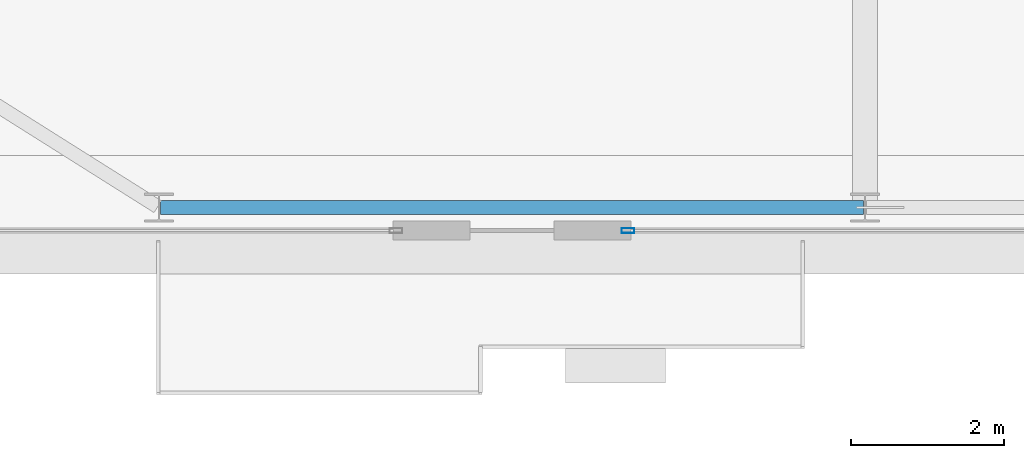
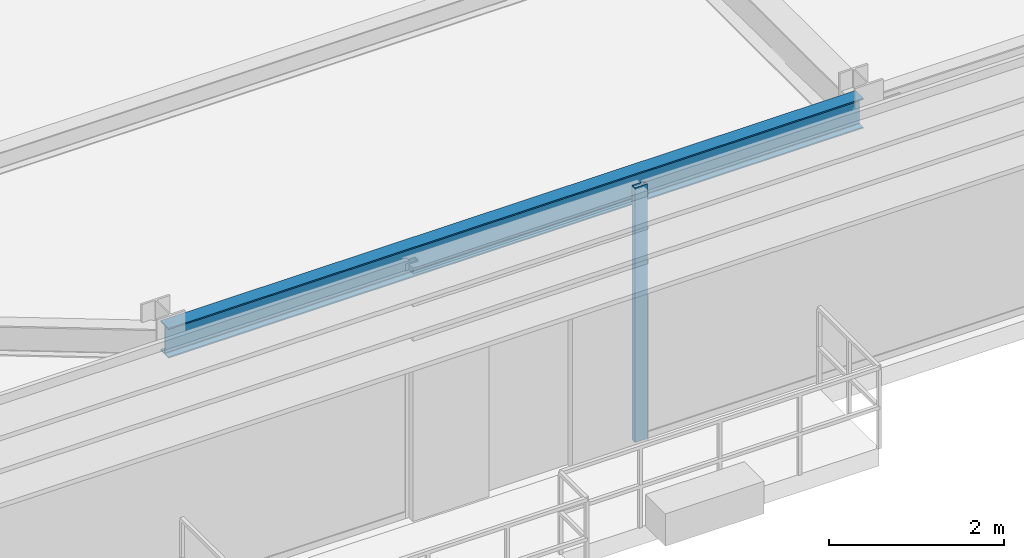
# One storey, part 6 of 31: 1 beam, 1 member, 1 element without a shape of its own.
"""IFC4 building model written with IfcOpenShell, lengths in metres."""

import ifcopenshell
import ifcopenshell.guid

model = None  # the IFC model being written
_history = None  # IfcOwnerHistory: only IFC2X3 demands one
_inside = {}  # id of a spatial element -> (the spatial element, [elements in it])
_under = {}  # id of a project, library or spatial element -> (it, [spatial elements below it])
_declared = {}  # id of a project -> (the project, [libraries it declares])
_typed = {}  # id of a type object -> (the type object, [elements of that type])
_made_of = {}  # id of a material, layer set ... -> (it, [elements and type objects made of it])


def new_model(schema):
    """Start an empty IFC model of exactly this schema.

    Asked for "IFC4X3", IfcOpenShell would pick the latest addendum, in which some entities
    have other attributes; the version numbers below select the first issue.
    IFC2X3 requires an IfcOwnerHistory on every rooted entity: one is made here for all.
    """
    global model, _history
    if schema == "IFC4X3":
        model = ifcopenshell.file(schema_version=(4, 3, 0, 0))
    else:
        model = ifcopenshell.file(schema=schema)
    _inside.clear()
    _under.clear()
    _declared.clear()
    _typed.clear()
    _made_of.clear()
    _history = None
    if model.schema == "IFC2X3":
        org = make("IfcOrganization", Name="unknown")
        user = make(
            "IfcPersonAndOrganization",
            ThePerson=make("IfcPerson", FamilyName="unknown"),
            TheOrganization=org,
        )
        app = make(
            "IfcApplication",
            ApplicationDeveloper=org,
            Version="unknown",
            ApplicationFullName="unknown",
            ApplicationIdentifier="unknown",
        )
        _history = make(
            "IfcOwnerHistory",
            OwningUser=user,
            OwningApplication=app,
            ChangeAction="ADDED",
            CreationDate=0,
        )
    return model


def make(cls, **values):
    """One entity of the class cls with the attributes given. An attribute that is None is left unset."""
    return model.create_entity(
        cls, **{name: value for name, value in values.items() if value is not None}
    )


def rooted(cls, **values):
    """An entity with a GlobalId (a new one), such as an element, a storey or a relation."""
    return make(cls, GlobalId=ifcopenshell.guid.new(), OwnerHistory=_history, **values)


def si_unit(unit_type, name, prefix=None):
    """IfcSIUnit, for example si_unit("LENGTHUNIT", "METRE", prefix="MILLI")."""
    return make("IfcSIUnit", UnitType=unit_type, Prefix=prefix, Name=name)


def assignment(units):
    """IfcUnitAssignment: the units of a project."""
    return None if units is None else make("IfcUnitAssignment", Units=units)


def point(xyz):
    """IfcCartesianPoint."""
    return None if xyz is None else make("IfcCartesianPoint", Coordinates=xyz)


def direction(xyz):
    """IfcDirection."""
    return None if xyz is None else make("IfcDirection", DirectionRatios=xyz)


def frame(location, z_axis=None, x_axis=None):
    """IfcAxis2Placement3D, a coordinate frame: its origin and axes. An axis left out is left unset."""
    return make(
        "IfcAxis2Placement3D",
        Location=point(location),
        Axis=direction(z_axis),
        RefDirection=direction(x_axis),
    )


def frame_2d(location, x_axis=None):
    """IfcAxis2Placement2D, a coordinate frame in the plane: its origin and x axis."""
    return make(
        "IfcAxis2Placement2D", Location=point(location), RefDirection=direction(x_axis)
    )


def origin():
    """The frame at (0, 0, 0) with its axes left unset."""
    return frame((0.0, 0.0, 0.0))


def origin_2d():
    """The frame at (0, 0) in the plane with its x axis left unset."""
    return frame_2d((0.0, 0.0))


def place(relative_to, where):
    """IfcLocalPlacement: puts the frame where relative to a parent placement (None: the world)."""
    return make(
        "IfcLocalPlacement", PlacementRelTo=relative_to, RelativePlacement=where
    )


def context(
    kind, dimensions, precision=None, world=None, true_north=None, identifier=None
):
    """IfcGeometricRepresentationContext, for example the 3D "Model" context."""
    return make(
        "IfcGeometricRepresentationContext",
        ContextIdentifier=identifier,
        ContextType=kind,
        CoordinateSpaceDimension=dimensions,
        Precision=precision,
        WorldCoordinateSystem=world,
        TrueNorth=true_north,
    )


def subcontext(parent, identifier, kind, view, scale=None):
    """IfcGeometricRepresentationSubContext, for example "Body" below "Model"."""
    return make(
        "IfcGeometricRepresentationSubContext",
        ContextIdentifier=identifier,
        ContextType=kind,
        ParentContext=parent,
        TargetScale=scale,
        TargetView=view,
    )


def project(units=None, contexts=None):
    """IfcProject with its units and contexts."""
    return rooted(
        "IfcProject",
        Name="project",
        RepresentationContexts=contexts,
        UnitsInContext=assignment(units),
    )


def spatial(cls, under=None, at=None, **own):
    """A site, building, storey or space (cls), placed at a placement, below another one or the project."""
    s = rooted(cls, ObjectPlacement=at, **own)
    if under is not None:
        _under.setdefault(under.id(), (under, []))[1].append(s)
    return s


def profile(cls, at=None, kind="AREA", **sizes):
    """A parametric profile (cls). Its sizes go by their IFC names, for example OverallWidth=200.0."""
    return make(cls, ProfileType=kind, Position=at, **sizes)


def hollow_rectangle(**sizes):
    """IfcRectangleHollowProfileDef."""
    return profile("IfcRectangleHollowProfileDef", **sizes)


def i_section(**sizes):
    """IfcIShapeProfileDef."""
    return profile("IfcIShapeProfileDef", **sizes)


def extrude(swept, where, along, depth):
    """IfcExtrudedAreaSolid: the profile swept, set in the frame where, extruded along a direction by depth."""
    return make(
        "IfcExtrudedAreaSolid",
        SweptArea=swept,
        Position=where,
        ExtrudedDirection=direction(along),
        Depth=depth,
    )


def shape(context_of_items, identifier, shape_type, items):
    """IfcShapeRepresentation: the items that make up one representation, for example the "Body"."""
    return make(
        "IfcShapeRepresentation",
        ContextOfItems=context_of_items,
        RepresentationIdentifier=identifier,
        RepresentationType=shape_type,
        Items=items,
    )


def source(mapping_origin, context_of_items, identifier, shape_type, items):
    """IfcRepresentationMap: a shape defined once, which mapped items show again and again."""
    return make(
        "IfcRepresentationMap",
        MappingOrigin=mapping_origin,
        MappedRepresentation=shape(context_of_items, identifier, shape_type, items),
    )


def transform(
    local_origin,
    x_axis=None,
    y_axis=None,
    z_axis=None,
    scale=None,
    scale2=None,
    scale3=None,
    uniform=True,
):
    """IfcCartesianTransformationOperator3D, or its non-uniform kind. x_axis, y_axis, z_axis: its Axis1, 2, 3."""
    if uniform:
        return make(
            "IfcCartesianTransformationOperator3D",
            Axis1=direction(x_axis),
            Axis2=direction(y_axis),
            LocalOrigin=point(local_origin),
            Scale=scale,
            Axis3=direction(z_axis),
        )
    return make(
        "IfcCartesianTransformationOperator3DnonUniform",
        Axis1=direction(x_axis),
        Axis2=direction(y_axis),
        LocalOrigin=point(local_origin),
        Scale=scale,
        Axis3=direction(z_axis),
        Scale2=scale2,
        Scale3=scale3,
    )


def mapped(mapping_source, mapping_target):
    """IfcMappedItem: shows the shape of a source again, moved by a transform."""
    return make(
        "IfcMappedItem", MappingSource=mapping_source, MappingTarget=mapping_target
    )


def material(Name=None, Category=None):
    """IfcMaterial."""
    return make("IfcMaterial", Name=Name, Category=Category)


def layer(
    of_material, thickness, ventilated=None, Name=None, Category=None, Priority=None
):
    """IfcMaterialLayer: one layer of a wall or slab, of a material (None: an air gap)."""
    return make(
        "IfcMaterialLayer",
        Material=of_material,
        LayerThickness=thickness,
        IsVentilated=ventilated,
        Name=Name,
        Category=Category,
        Priority=Priority,
    )


def layer_set(layers, Name=None):
    """IfcMaterialLayerSet."""
    return make("IfcMaterialLayerSet", MaterialLayers=layers, LayerSetName=Name)


def material_profile(
    of_material, cross_section, Name=None, Category=None, Priority=None
):
    """IfcMaterialProfile: a cross section and its material."""
    return make(
        "IfcMaterialProfile",
        Name=Name,
        Material=of_material,
        Profile=cross_section,
        Priority=Priority,
        Category=Category,
    )


def profile_set(profiles, Name=None, composite=None):
    """IfcMaterialProfileSet."""
    return make(
        "IfcMaterialProfileSet",
        Name=Name,
        MaterialProfiles=profiles,
        CompositeProfile=composite,
    )


def made_of(thing, what):
    """Note that an element or type object is made of a material, layer set ...; save() writes the relation."""
    if what is not None:
        _made_of.setdefault(what.id(), (what, []))[1].append(thing)
    return thing


def type_object(cls, material=None, **own):
    """A type object (cls), such as IfcWallType, which elements share."""
    return made_of(rooted(cls, **own), material)


def type_shapes(of_type, sources):
    """Give a type object the sources (RepresentationMaps) that its elements show as mapped items."""
    of_type.RepresentationMaps = sources


def element(
    cls,
    number,
    at=None,
    inside=None,
    cuts=None,
    type_object=None,
    material=None,
    context=None,
    identifier="Body",
    shape_type=None,
    held_by="IfcProductDefinitionShape",
    body=None,
    shapes=None,
    **own,
):
    """One element of the class cls, such as IfcWall. Its Tag is "e" and its number.

    at: its placement. inside: the storey or other place that contains it. cuts: it is an
    opening in that element (IfcRelVoidsElement). A single representation is given by context,
    identifier, shape_type and body (its items); several are given by shapes. held_by: the class
    of the entity that holds the representations. save() writes the other relations.
    """
    e = rooted(cls, Tag="e%d" % number, ObjectPlacement=at, **own)
    if body is not None:
        shapes = [shape(context, identifier, shape_type, body)]
    if shapes is not None:
        e.Representation = make(held_by, Representations=shapes)
    if inside is not None:
        _inside.setdefault(inside.id(), (inside, []))[1].append(e)
    if cuts is not None:
        rooted(
            "IfcRelVoidsElement", RelatingBuildingElement=cuts, RelatedOpeningElement=e
        )
    if type_object is not None:
        _typed.setdefault(type_object.id(), (type_object, []))[1].append(e)
    return made_of(e, material)


def aggregate(whole, parts):
    """IfcRelAggregates: a whole, such as a stair, and the parts it consists of."""
    return rooted("IfcRelAggregates", RelatingObject=whole, RelatedObjects=parts)


def save(model, path):
    """Write the relations noted so far, then the file.

    IfcRelAggregates (storeys below a building ...), IfcRelContainedInSpatialStructure (elements
    in a storey), IfcRelDefinesByType, IfcRelAssociatesMaterial and IfcRelDeclares: one each for
    every whole, place, type object, material and project.
    """
    for whole, parts in _under.values():
        aggregate(whole, parts)
    for where, things in _inside.values():
        rooted(
            "IfcRelContainedInSpatialStructure",
            RelatedElements=things,
            RelatingStructure=where,
        )
    for kind, things in _typed.values():
        rooted("IfcRelDefinesByType", RelatedObjects=things, RelatingType=kind)
    for what, things in _made_of.values():
        rooted("IfcRelAssociatesMaterial", RelatedObjects=things, RelatingMaterial=what)
    for by, libraries in _declared.values():
        rooted("IfcRelDeclares", RelatingContext=by, RelatedDefinitions=libraries)
    model.write(path)


model = new_model("IFC4")

# Units and contexts
model_context = context("Model", 3, precision=1e-05, world=origin(), true_north=direction((0.0, 1.0)))
body_context = subcontext(model_context, "Body", "Model", "MODEL_VIEW")
ifc_project = project(units=[si_unit("LENGTHUNIT", "METRE"), si_unit("AREAUNIT", "SQUARE_METRE"), si_unit("VOLUMEUNIT", "CUBIC_METRE"), si_unit("PLANEANGLEUNIT", "RADIAN"), si_unit("MASSUNIT", "GRAM", prefix="KILO")], contexts=[model_context])

# Site, building, storey
site_placement = place(None, origin())
site = spatial("IfcSite", under=ifc_project, at=site_placement, CompositionType="ELEMENT")
building_placement = place(site_placement, origin())
building = spatial("IfcBuilding", under=site, at=building_placement, Name="Varnel Quay Broadcast Tower", CompositionType="ELEMENT")
storey_placement = place(building_placement, frame((0.0, 0.0, 157.199951171875)))
storey = spatial("IfcBuildingStorey", under=building, at=storey_placement, Name="L38", CompositionType="ELEMENT", Elevation=157.199951171875)

# Beam
ifc_material_1 = material(Name="Structural Steel CSA G40.21 350W", Category="steel")
ifc_material_profile_1 = material_profile(ifc_material_1, i_section(OverallWidth=0.180908203125, OverallDepth=0.4169921875, WebThickness=0.010986328125, FlangeThickness=0.018310546875, FilletRadius=0.011962890625, at=origin_2d()), Name="W410X85")
ifc_profile_set_1 = profile_set([ifc_material_profile_1], Name="Structural Steel CSA G40.21 350W")
beam_type = type_object("IfcBeamType", Name="Beam_W410X85", PredefinedType="SPANDREL", material=ifc_profile_set_1)
shared_shape_1 = source(origin(), body_context, "Body", "SweptSolid", [
    extrude(i_section(OverallWidth=0.180908203125, OverallDepth=0.4169921875, WebThickness=0.010986328125, FlangeThickness=0.018310546875, FilletRadius=0.011962890625, at=origin_2d()), origin(), (0.0, 0.0, 1.0), 9.159912109375),
])
type_shapes(beam_type, [shared_shape_1])
beam_placement = place(storey_placement, frame((15.6201171875, 7.64990234375, 3.341552734375), z_axis=(1.0, 0.0, 0.0), x_axis=(0.0, 1.0, 0.0)))
element("IfcBeam", 1, at=beam_placement, inside=storey, type_object=beam_type, Name="L38 South Spandrel TC-S1-TC-S2", PredefinedType="SPANDREL", context=body_context, shape_type="MappedRepresentation", body=[
    mapped(shared_shape_1, transform((0.0, 0.0, 0.0), x_axis=(1.0, 0.0, 0.0), y_axis=(0.0, 1.0, 0.0), z_axis=(0.0, 0.0, 1.0), scale=1.0)),
])

# Curtain wall, member
ifc_material_2 = material(Name="Anodised Bronze Aluminium 6063-T6", Category="aluminium")
ifc_layer = layer(ifc_material_2, 0.18994140625, Name="Anodised Bronze Aluminium 6063-T6")
ifc_layer_set = layer_set([ifc_layer], Name="Anodised Bronze Aluminium 6063-T6")
curtain_wall_type = type_object("IfcCurtainWallType", Name="CW_UpperTower", PredefinedType="NOTDEFINED", material=ifc_layer_set)
curtain_wall_placement = place(storey_placement, origin())
curtain_wall = element("IfcCurtainWall", 2, at=curtain_wall_placement, inside=storey, type_object=curtain_wall_type, Name="L38 South Unitised Curtain Wall 2", PredefinedType="NOTDEFINED")
ifc_material_profile_2 = material_profile(ifc_material_2, hollow_rectangle(XDim=0.06494140625, YDim=0.1650390625, WallThickness=0.00341796875, at=origin_2d()), Name="ALU65X165X3.5")
ifc_profile_set_2 = profile_set([ifc_material_profile_2], Name="Anodised Bronze Aluminium 6063-T6")
member_type = type_object("IfcMemberType", Name="Mull_CWS-03", PredefinedType="MULLION", material=ifc_profile_set_2)
shared_shape_2 = source(origin(), body_context, "Body", "SweptSolid", [
    extrude(hollow_rectangle(XDim=0.06494140625, YDim=0.1650390625, WallThickness=0.00341796875, at=origin_2d()), origin(), (0.0, 0.0, 1.0), 3.550048828125),
])
type_shapes(member_type, [shared_shape_2])
member_placement = place(storey_placement, frame((21.71240234375, 7.35009765625, 0.0), z_axis=(0.0, 0.0, 1.0), x_axis=(0.0, 1.0, 0.0)))
member = element("IfcMember", 3, at=member_placement, type_object=member_type, Name="CWS-03 mullion 1", PredefinedType="MULLION", context=body_context, shape_type="MappedRepresentation", body=[
    mapped(shared_shape_2, transform((0.0, 0.0, 0.0), x_axis=(1.0, 0.0, 0.0), y_axis=(0.0, 1.0, 0.0), z_axis=(0.0, 0.0, 1.0), scale=1.0)),
])
aggregate(curtain_wall, [member])

save(model, "model.ifc")
